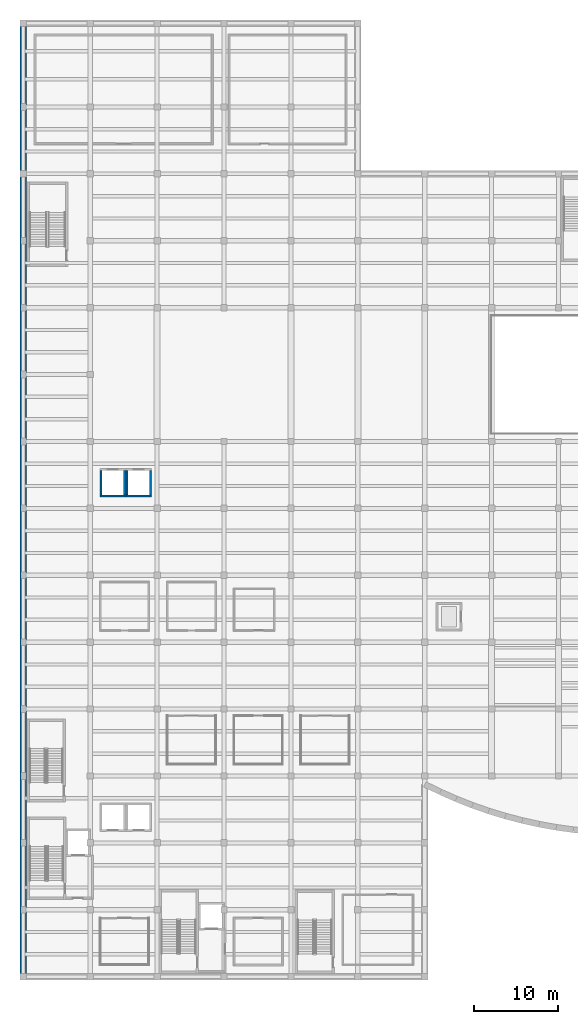
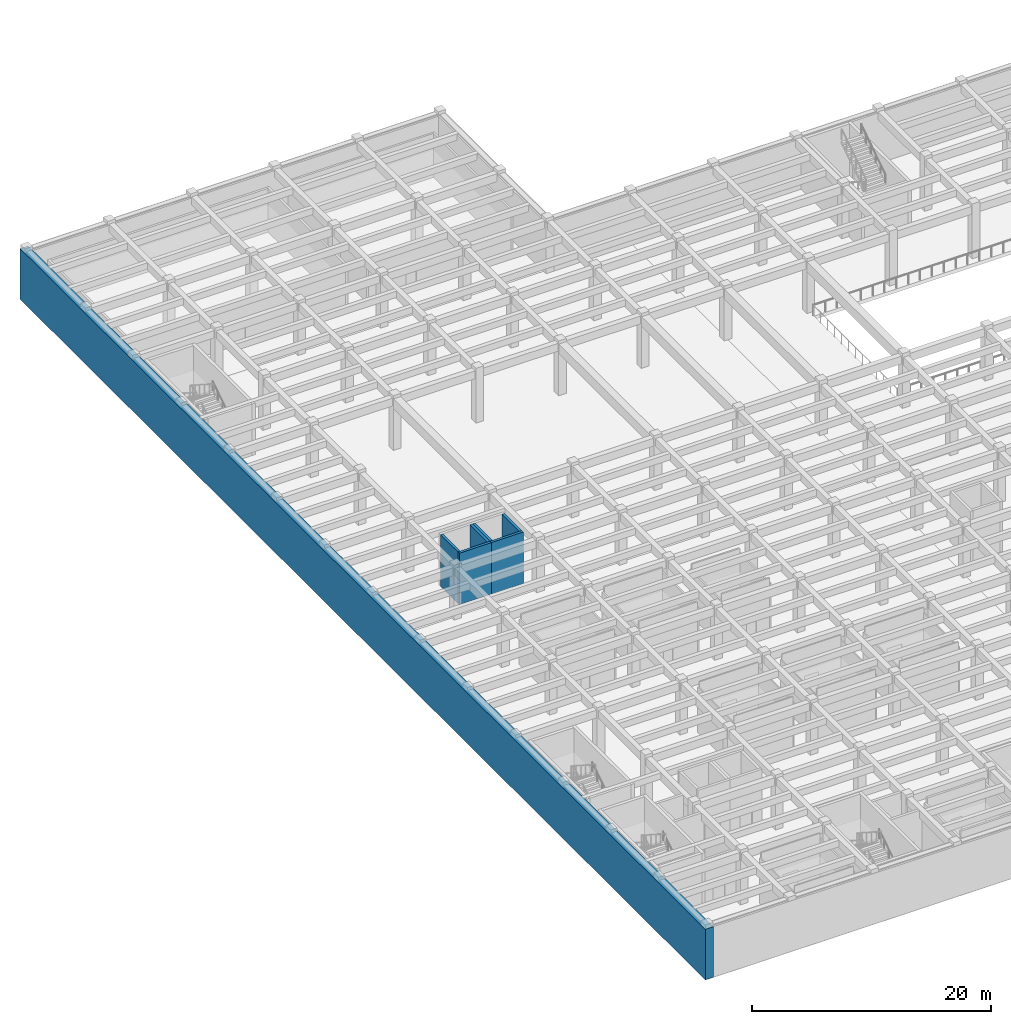
# One storey, part 7 of 19: 7 walls.
"""IFC4 building model written with IfcOpenShell, lengths in metres."""

from ifc_helpers import new_model, si_unit, direction, frame, frame_2d, origin, place, context, subcontext, project, spatial, rectangle, extrude, material, layer, layer_set, type_object, element, save


model = new_model("IFC4")

# Units and contexts
model_context = context("Model", 3, precision=1e-05, world=origin(), true_north=direction((0.0, 1.0)))
body_context = subcontext(model_context, "Body", "Model", "MODEL_VIEW")
ifc_project = project(units=[si_unit("LENGTHUNIT", "METRE"), si_unit("AREAUNIT", "SQUARE_METRE"), si_unit("VOLUMEUNIT", "CUBIC_METRE"), si_unit("PLANEANGLEUNIT", "RADIAN"), si_unit("MASSUNIT", "GRAM", prefix="KILO")], contexts=[model_context])

# Site, building, storey
site_placement = place(None, origin())
site = spatial("IfcSite", under=ifc_project, at=site_placement, CompositionType="ELEMENT")
building_placement = place(site_placement, origin())
building = spatial("IfcBuilding", under=site, at=building_placement, Name="Drelvath Fold Interchange", CompositionType="ELEMENT")
storey_placement = place(building_placement, frame((0.0, 0.0, -5.60009765625)))
storey = spatial("IfcBuildingStorey", under=building, at=storey_placement, Name="B1", CompositionType="ELEMENT", Elevation=-5.60009765625)

# Walls
ifc_material = material(Name="Concrete f'c 45 MPa (6500 psi)", Category="concrete")
ifc_layer_1 = layer(ifc_material, 0.800048828125, Name="Concrete f'c 45 MPa (6500 psi)")
ifc_layer_set_1 = layer_set([ifc_layer_1], Name="Concrete f'c 45 MPa (6500 psi)")
wall_type_1 = type_object("IfcWallType", Name="WL-DW800", PredefinedType="SOLIDWALL", material=ifc_layer_set_1)
wall_1_placement = place(storey_placement, frame((4.0, 2.60009765625, 0.0), z_axis=(0.0, 0.0, 1.0), x_axis=(0.0, 1.0, 0.0)))
element("IfcWall", 1, at=wall_1_placement, inside=storey, type_object=wall_type_1, Name="B1 diaphragm wall 38", PredefinedType="SOLIDWALL", context=body_context, shape_type="SweptSolid", body=[
    extrude(rectangle(XDim=114.7998046875, YDim=0.800048828125, at=frame_2d((57.39990234375, 0.0))), origin(), (0.0, 0.0, 1.0), 5.18017578125),
])
ifc_layer_2 = layer(ifc_material, 0.25, Name="Concrete f'c 45 MPa (6500 psi)")
ifc_layer_set_2 = layer_set([ifc_layer_2], Name="Concrete f'c 45 MPa (6500 psi)")
wall_type_2 = type_object("IfcWallType", Name="WL-SH250", PredefinedType="SOLIDWALL", material=ifc_layer_set_2)
wall_2_placement = place(storey_placement, frame((13.14990234375, 60.47509765625, 0.0), z_axis=(0.0, 0.0, 1.0), x_axis=(1.0, 0.0, 0.0)))
element("IfcWall", 2, at=wall_2_placement, inside=storey, type_object=wall_type_2, Name="LF-03 B1 south shaft wall", PredefinedType="SOLIDWALL", context=body_context, shape_type="SweptSolid", body=[
    extrude(rectangle(XDim=3.10009765625, YDim=0.25, at=frame_2d((1.550048828125, 0.0))), origin(), (0.0, 0.0, 1.0), 5.275146484375),
])
for number, where, z_axis, x_axis, name in (
    (3, (16.125, 60.60009765625, 0.0), (0.0, 0.0, 1.0), (0.0, 1.0, 0.0), "LF-03 B1 east shaft wall"),
    (4, (13.27490234375, 63.5, 0.0), (0.0, 0.0, 1.0), (0.0, -1.0, 0.0), "LF-03 B1 west shaft wall"),
):
    element("IfcWall", number, at=place(storey_placement, frame(where, z_axis=z_axis, x_axis=x_axis)), inside=storey, type_object=wall_type_2, Name=name, PredefinedType="SOLIDWALL", context=body_context, shape_type="SweptSolid", body=[
        extrude(rectangle(XDim=2.89990234375, YDim=0.25, at=frame_2d((1.449951171875, 0.0))), origin(), (0.0, 0.0, 1.0), 5.275146484375),
    ])
wall_3_placement = place(storey_placement, frame((16.25, 60.47509765625, 0.0), z_axis=(0.0, 0.0, 1.0), x_axis=(1.0, 0.0, 0.0)))
element("IfcWall", 5, at=wall_3_placement, inside=storey, type_object=wall_type_2, Name="LF-04 B1 south shaft wall", PredefinedType="SOLIDWALL", context=body_context, shape_type="SweptSolid", body=[
    extrude(rectangle(XDim=3.10009765625, YDim=0.25, at=frame_2d((1.550048828125, 0.0))), origin(), (0.0, 0.0, 1.0), 5.275146484375),
])
for number, where, z_axis, x_axis, name in (
    (6, (19.22509765625, 60.60009765625, 0.0), (0.0, 0.0, 1.0), (0.0, 1.0, 0.0), "LF-04 B1 east shaft wall"),
    (7, (16.375, 63.5, 0.0), (0.0, 0.0, 1.0), (0.0, -1.0, 0.0), "LF-04 B1 west shaft wall"),
):
    element("IfcWall", number, at=place(storey_placement, frame(where, z_axis=z_axis, x_axis=x_axis)), inside=storey, type_object=wall_type_2, Name=name, PredefinedType="SOLIDWALL", context=body_context, shape_type="SweptSolid", body=[
        extrude(rectangle(XDim=2.89990234375, YDim=0.25, at=frame_2d((1.449951171875, 0.0))), origin(), (0.0, 0.0, 1.0), 5.275146484375),
    ])

save(model, "model.ifc")
